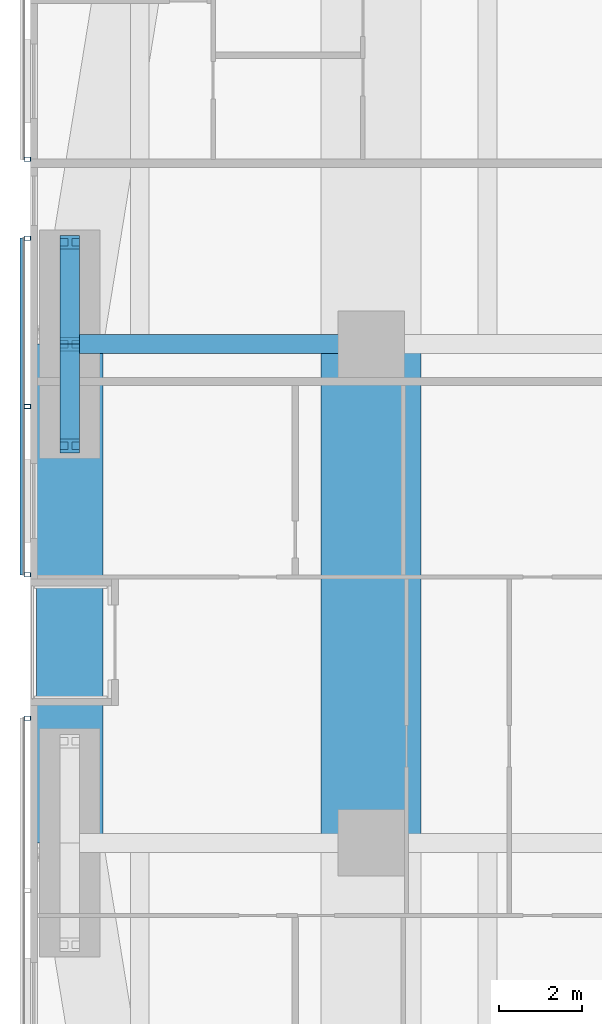
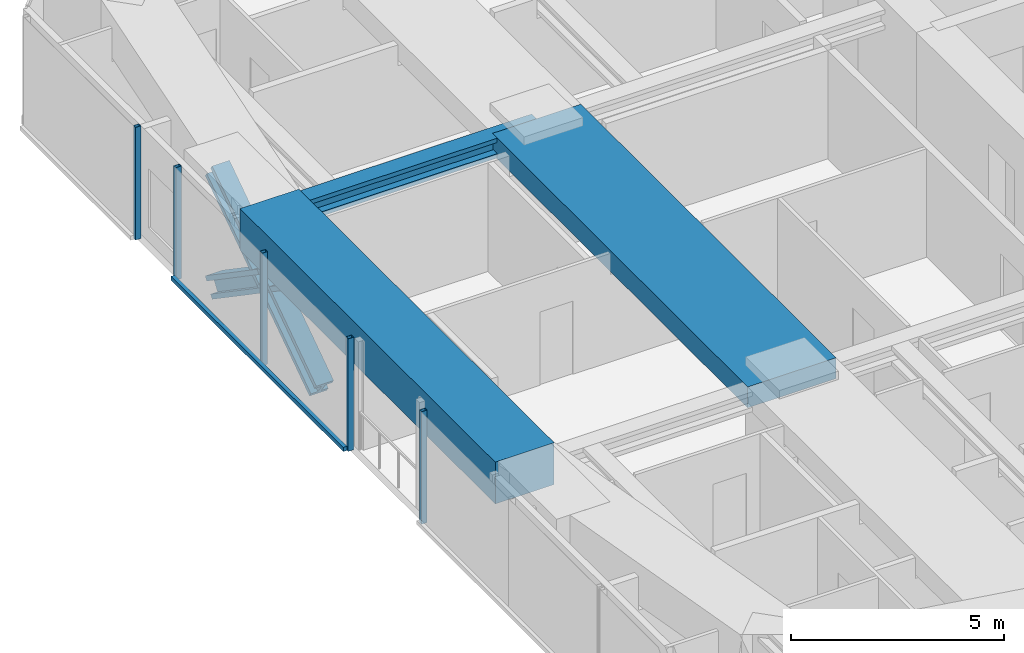
# One storey, part 7 of 24: 10 members, 3 beams, 3 elements without a shape of their own.
"""IFC4 building model written with IfcOpenShell, lengths in metres."""

from ifc_helpers import new_model, si_unit, direction, frame, origin, origin_2d, place, context, subcontext, project, spatial, rectangle, hollow_rectangle, i_section, extrude, material, material_profile, profile_set, type_object, element, aggregate, save


model = new_model("IFC4")

# Units and contexts
model_context = context("Model", 3, precision=1e-05, world=origin(), true_north=direction((0.0, 1.0)))
body_context = subcontext(model_context, "Body", "Model", "MODEL_VIEW")
ifc_project = project(units=[si_unit("LENGTHUNIT", "METRE"), si_unit("AREAUNIT", "SQUARE_METRE"), si_unit("VOLUMEUNIT", "CUBIC_METRE"), si_unit("PLANEANGLEUNIT", "RADIAN"), si_unit("MASSUNIT", "GRAM", prefix="KILO")], contexts=[model_context])

# Site, building, storey
site_placement = place(None, origin())
site = spatial("IfcSite", under=ifc_project, at=site_placement, CompositionType="ELEMENT")
building_placement = place(site_placement, origin())
building = spatial("IfcBuilding", under=site, at=building_placement, Name="Jalousie Tower", CompositionType="ELEMENT")
storey_placement = place(building_placement, frame((0.0, 0.0, 54.5)))
storey = spatial("IfcBuildingStorey", under=building, at=storey_placement, Name="L14", CompositionType="ELEMENT", Elevation=54.5)

# Beam
ifc_material_1 = material(Name="Steel ASTM A992 Grade 50", Category="steel")
ifc_material_profile_1 = material_profile(ifc_material_1, i_section(OverallWidth=0.45458984375, OverallDepth=0.569091796875, WebThickness=0.077880859375, FlangeThickness=0.124755859375, at=origin_2d()), Name="W14X730")
ifc_profile_set_1 = profile_set([ifc_material_profile_1], Name="Steel ASTM A992 Grade 50")
beam_type_1 = type_object("IfcBeamType", Name="LEAN COLLECTOR W14X730", PredefinedType="BEAM", material=ifc_profile_set_1)
beam_1_placement = place(storey_placement, frame((2.949951171875, 25.0, 2.825439453125), z_axis=(1.0, 0.0, 0.0), x_axis=(0.0, 1.0, 0.0)))
element("IfcBeam", 1, at=beam_1_placement, inside=storey, type_object=beam_type_1, Name="Lean collector under L15", PredefinedType="BEAM", context=body_context, shape_type="SweptSolid", body=[
    extrude(i_section(OverallWidth=0.45458984375, OverallDepth=0.569091796875, WebThickness=0.077880859375, FlangeThickness=0.124755859375, at=origin_2d()), origin(), (0.0, 0.0, 1.0), 7.25),
])

# Members
ifc_material_2 = material(Name="Steel ASTM A992 Grade 50", Category="steel")
ifc_material_profile_2 = material_profile(ifc_material_2, i_section(OverallWidth=0.472412109375, OverallDepth=0.5791015625, WebThickness=0.094970703125, FlangeThickness=0.1298828125, at=origin_2d()), Name="W14X808")
ifc_profile_set_2 = profile_set([ifc_material_profile_2], Name="Steel ASTM A992 Grade 50")
member_type_1 = type_object("IfcMemberType", Name="PERIMETER BRACE W14X808", PredefinedType="BRACE", material=ifc_profile_set_2)
for number, where, z_axis, x_axis, name in (
    (2, (2.949951171875, 22.550048828125, -0.60009765625), (0.0, 0.825500916831, 0.564400776321), (-1.0, 0.0, 0.0), "Perimeter brace 13 L14 part 1"),
    (3, (2.949951171875, 25.0, 1.074951171875), (0.0, 0.825500916831, 0.564400776321), (-1.0, 0.0, 0.0), "Perimeter brace 13 L14 part 2"),
    (4, (2.949951171875, 27.449951171875, -0.60009765625), (0.0, -0.825500916831, 0.564400776321), (1.0, 0.0, 0.0), "Perimeter brace 13 L14 part 3"),
    (5, (2.949951171875, 25.0, 1.074951171875), (0.0, -0.825500916831, 0.564400776321), (1.0, 0.0, 0.0), "Perimeter brace 13 L14 part 4"),
):
    element("IfcMember", number, at=place(storey_placement, frame(where, z_axis=z_axis, x_axis=x_axis)), inside=storey, type_object=member_type_1, Name=name, PredefinedType="BRACE", context=body_context, shape_type="SweptSolid", body=[
        extrude(i_section(OverallWidth=0.472412109375, OverallDepth=0.5791015625, WebThickness=0.094970703125, FlangeThickness=0.1298828125, at=origin_2d()), origin(), (0.0, 0.0, 1.0), 2.9677734375),
    ])

# Beams
ifc_material_3 = material(Name="Concrete f'c 40 MPa", Category="concrete")
ifc_material_profile_3 = material_profile(ifc_material_3, rectangle(XDim=1.60009765625, YDim=1.199951171875, at=origin_2d()), Name="RC 1600x1200")
ifc_profile_set_3 = profile_set([ifc_material_profile_3], Name="Concrete f'c 40 MPa")
beam_type_2 = type_object("IfcBeamType", Name="RC BEAM 1600x1200", PredefinedType="BEAM", material=ifc_profile_set_3)
beam_2_placement = place(storey_placement, frame((2.949951171875, 25.0, 2.75), z_axis=(0.0, -1.0, 0.0), x_axis=(1.0, 0.0, 0.0)))
element("IfcBeam", 6, at=beam_2_placement, inside=storey, type_object=beam_type_2, Name="Edge band beam 13-14 under L15", PredefinedType="BEAM", context=body_context, shape_type="SweptSolid", body=[
    extrude(rectangle(XDim=1.60009765625, YDim=1.199951171875, at=origin_2d()), origin(), (0.0, 0.0, 1.0), 12.0),
])
ifc_material_4 = material(Name="Concrete f'c 40 MPa", Category="concrete")
ifc_material_profile_4 = material_profile(ifc_material_4, rectangle(XDim=2.39990234375, YDim=0.60009765625, at=origin_2d()), Name="RC 2400x600")
ifc_profile_set_4 = profile_set([ifc_material_profile_4], Name="Concrete f'c 40 MPa")
beam_type_3 = type_object("IfcBeamType", Name="RC BEAM 2400x600", PredefinedType="BEAM", material=ifc_profile_set_4)
beam_3_placement = place(storey_placement, frame((10.199951171875, 13.0, 2.81005859375), z_axis=(0.0, 1.0, 0.0), x_axis=(-1.0, 0.0, 0.0)))
element("IfcBeam", 7, at=beam_3_placement, inside=storey, type_object=beam_type_3, Name="Floor band beam under L15", PredefinedType="BEAM", context=body_context, shape_type="SweptSolid", body=[
    extrude(rectangle(XDim=2.39990234375, YDim=0.60009765625, at=origin_2d()), origin(), (0.0, 0.0, 1.0), 12.0),
])

# Curtain wall, member
ifc_material_5 = material(Name="Perforated aluminium sheet", Category="aluminium")
curtain_wall_type = type_object("IfcCurtainWallType", Name="SOLAR SCREEN SS-1", PredefinedType="USERDEFINED", material=ifc_material_5)
curtain_wall_1_placement = place(storey_placement, origin())
curtain_wall_1 = element("IfcCurtainWall", 8, at=curtain_wall_1_placement, inside=storey, type_object=curtain_wall_type, Name="Solar screen L14", ObjectType="SOLAR SCREEN SS-1", PredefinedType="USERDEFINED")
ifc_material_6 = material(Name="Steel ASTM A500 Grade C", Category="steel")
ifc_material_profile_5 = material_profile(ifc_material_6, hollow_rectangle(XDim=0.1015625, YDim=0.15234375, WallThickness=0.00634765625, at=origin_2d()), Name="HSS6X4X1/4")
ifc_profile_set_5 = profile_set([ifc_material_profile_5], Name="Steel ASTM A500 Grade C")
member_type_2 = type_object("IfcMemberType", Name="SOLAR SCREEN SS-1 MULLION", PredefinedType="MULLION", material=ifc_profile_set_5)
member_1_placement = place(storey_placement, frame((1.9287109375, 29.449951171875, -0.1201171875), z_axis=(0.0, 0.0, 1.0), x_axis=(0.0, -1.0, 0.0)))
member_1 = element("IfcMember", 9, at=member_1_placement, type_object=member_type_2, Name="SS1 post 2", PredefinedType="MULLION", context=body_context, shape_type="SweptSolid", body=[
    extrude(hollow_rectangle(XDim=0.1015625, YDim=0.15234375, WallThickness=0.00634765625, at=origin_2d()), origin(), (0.0, 0.0, 1.0), 3.230224609375),
])
aggregate(curtain_wall_1, [member_1])

# Curtain wall, members
curtain_wall_2_placement = place(storey_placement, origin())
curtain_wall_2 = element("IfcCurtainWall", 10, at=curtain_wall_2_placement, inside=storey, type_object=curtain_wall_type, Name="Solar screen L14", ObjectType="SOLAR SCREEN SS-1", PredefinedType="USERDEFINED")
member_2_placement = place(storey_placement, frame((1.9287109375, 27.550048828125, -0.1201171875), z_axis=(0.0, 0.0, 1.0), x_axis=(0.0, -1.0, 0.0)))
member_2 = element("IfcMember", 11, at=member_2_placement, type_object=member_type_2, Name="SS1 post 1", PredefinedType="MULLION", context=body_context, shape_type="SweptSolid", body=[
    extrude(hollow_rectangle(XDim=0.1015625, YDim=0.15234375, WallThickness=0.00634765625, at=origin_2d()), origin(), (0.0, 0.0, 1.0), 3.230224609375),
])
member_3_placement = place(storey_placement, frame((1.9287109375, 23.5, -0.1201171875), z_axis=(0.0, 0.0, 1.0), x_axis=(0.0, -1.0, 0.0)))
member_3 = element("IfcMember", 12, at=member_3_placement, type_object=member_type_2, Name="SS1 post 2", PredefinedType="MULLION", context=body_context, shape_type="SweptSolid", body=[
    extrude(hollow_rectangle(XDim=0.1015625, YDim=0.15234375, WallThickness=0.00634765625, at=origin_2d()), origin(), (0.0, 0.0, 1.0), 3.230224609375),
])
member_4_placement = place(storey_placement, frame((1.9287109375, 19.449951171875, -0.1201171875), z_axis=(0.0, 0.0, 1.0), x_axis=(0.0, -1.0, 0.0)))
member_4 = element("IfcMember", 13, at=member_4_placement, type_object=member_type_2, Name="SS1 post 3", PredefinedType="MULLION", context=body_context, shape_type="SweptSolid", body=[
    extrude(hollow_rectangle(XDim=0.1015625, YDim=0.15234375, WallThickness=0.00634765625, at=origin_2d()), origin(), (0.0, 0.0, 1.0), 3.230224609375),
])

# Curtain wall, member
curtain_wall_3_placement = place(storey_placement, origin())
curtain_wall_3 = element("IfcCurtainWall", 14, at=curtain_wall_3_placement, inside=storey, type_object=curtain_wall_type, Name="Solar screen L14", ObjectType="SOLAR SCREEN SS-1", PredefinedType="USERDEFINED")
member_5_placement = place(storey_placement, frame((1.9287109375, 16.0, -0.1201171875), z_axis=(0.0, 0.0, 1.0), x_axis=(0.0, -1.0, 0.0)))
member_5 = element("IfcMember", 15, at=member_5_placement, type_object=member_type_2, Name="SS1 post 1", PredefinedType="MULLION", context=body_context, shape_type="SweptSolid", body=[
    extrude(hollow_rectangle(XDim=0.1015625, YDim=0.15234375, WallThickness=0.00634765625, at=origin_2d()), origin(), (0.0, 0.0, 1.0), 3.230224609375),
])
aggregate(curtain_wall_3, [member_5])

# Member
ifc_material_7 = material(Name="Extruded aluminium screen rail", Category="aluminium")
ifc_material_profile_6 = material_profile(ifc_material_7, rectangle(XDim=0.1015625, YDim=0.1201171875, at=origin_2d()), Name="RAIL 102x120")
ifc_profile_set_6 = profile_set([ifc_material_profile_6], Name="Extruded aluminium screen rail")
member_type_3 = type_object("IfcMemberType", Name="SOLAR SCREEN SS-1 TRANSOM", PredefinedType="USERDEFINED", material=ifc_profile_set_6)
member_6_placement = place(storey_placement, frame((1.8017578125, 27.550048828125, -0.06005859375), z_axis=(0.0, -1.0, 0.0), x_axis=(1.0, 0.0, 0.0)))
member_6 = element("IfcMember", 16, at=member_6_placement, type_object=member_type_3, Name="SS1 rail", ObjectType="TRANSOM", PredefinedType="USERDEFINED", context=body_context, shape_type="SweptSolid", body=[
    extrude(rectangle(XDim=0.1015625, YDim=0.1201171875, at=origin_2d()), origin(), (0.0, 0.0, 1.0), 8.10009765625),
])

aggregate(curtain_wall_2, [member_2, member_3, member_4, member_6])

save(model, "model.ifc")
